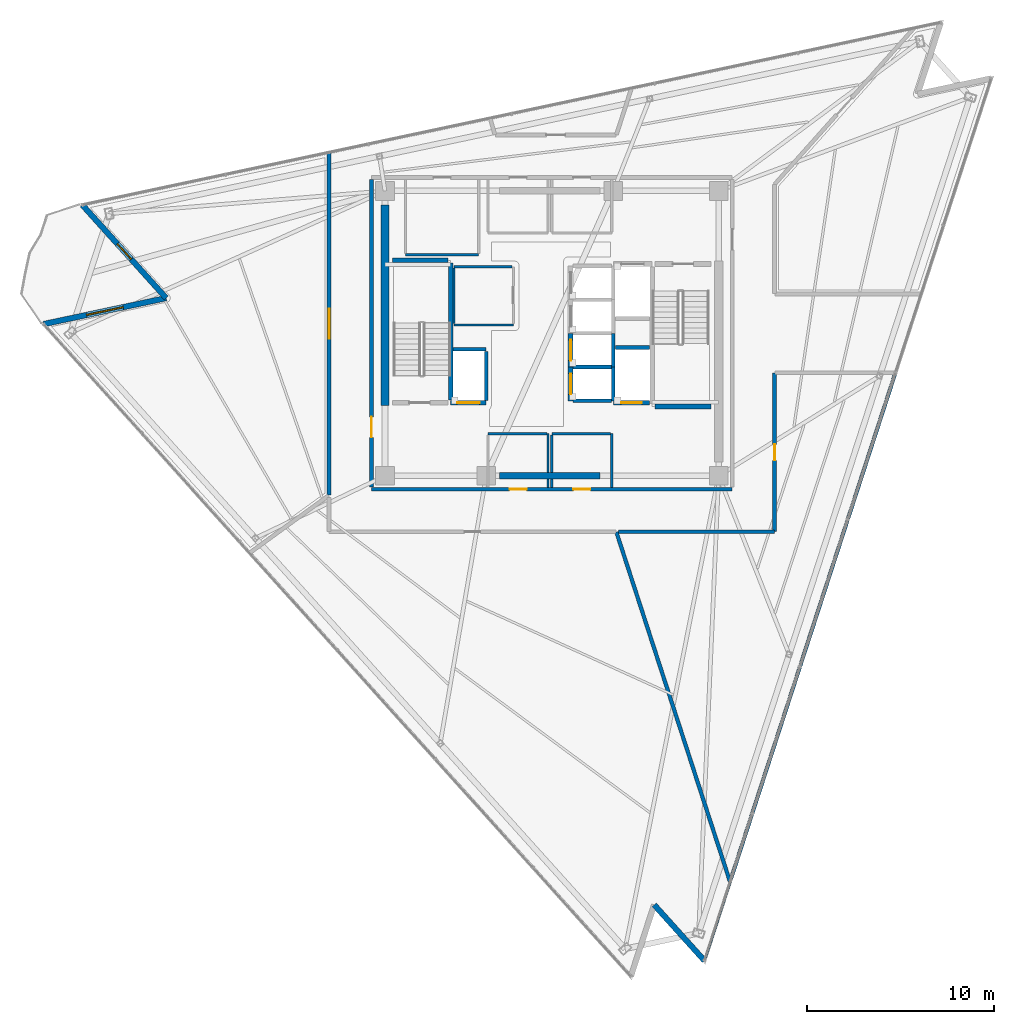
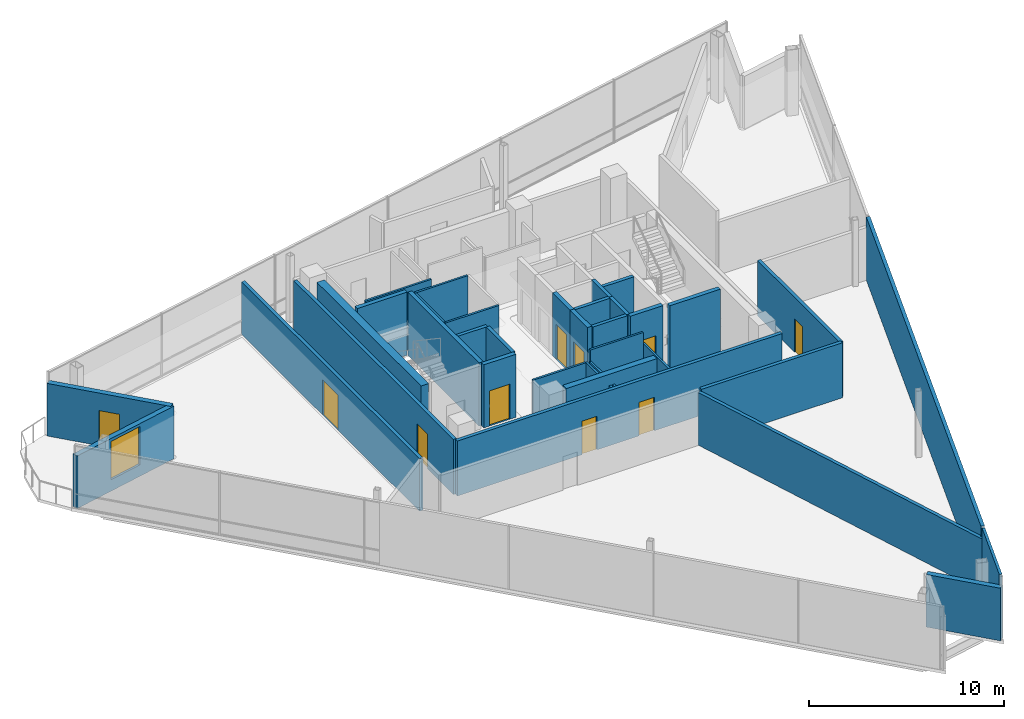
# One storey, part 11 of 16: 38 walls, 10 doors, 1 window, 11 openings.
"""IFC4 building model written with IfcOpenShell, lengths in metres."""

from ifc_helpers import new_model, si_unit, direction, frame, frame_2d, origin, place, context, subcontext, project, spatial, rectangle, extrude, material, layer, layer_set, type_object, element, fill, save


model = new_model("IFC4")

# Units and contexts
model_context = context("Model", 3, precision=1e-05, world=origin(), true_north=direction((0.0, 1.0)))
body_context = subcontext(model_context, "Body", "Model", "MODEL_VIEW")
ifc_project = project(units=[si_unit("LENGTHUNIT", "METRE"), si_unit("AREAUNIT", "SQUARE_METRE"), si_unit("VOLUMEUNIT", "CUBIC_METRE"), si_unit("PLANEANGLEUNIT", "RADIAN"), si_unit("MASSUNIT", "GRAM", prefix="KILO")], contexts=[model_context])

# Site, building, storey
site_placement = place(None, origin())
site = spatial("IfcSite", under=ifc_project, at=site_placement, CompositionType="ELEMENT")
building_placement = place(site_placement, origin())
building = spatial("IfcBuilding", under=site, at=building_placement, Name="Tharavind Bronze Gate", CompositionType="ELEMENT")
storey_placement = place(building_placement, frame((0.0, 0.0, 302.14990234375)))
storey = spatial("IfcBuildingStorey", under=building, at=storey_placement, Name="L78", CompositionType="ELEMENT", Elevation=302.14990234375)

# Wall, opening, door
ifc_material_1 = material(Name="Concrete C40/50", Category="concrete")
ifc_layer_1 = layer(ifc_material_1, 0.300048828125)
ifc_layer_set_1 = layer_set([ifc_layer_1], Name="Concrete C40/50")
wall_type_1 = type_object("IfcWallType", Name="EXTERIOR SPANDREL WALL 300", PredefinedType="STANDARD", material=ifc_layer_set_1)
wall_1_placement = place(storey_placement, frame((-25.041015625, 6.84814453125, 0.0), z_axis=(0.0, 0.0, 1.0), x_axis=(0.669132313306, -0.743143288532, 0.0)))
wall_1 = element("IfcWall", 1, at=wall_1_placement, inside=storey, type_object=wall_type_1, Name="L78 notch cheek wall 1A", PredefinedType="STANDARD", context=body_context, shape_type="SweptSolid", body=[
    extrude(rectangle(XDim=6.679931640625, YDim=0.300048828125, at=frame_2d((3.33984375, 0.0))), origin(), (0.0, 0.0, 1.0), 3.295166015625),
])
opening_1_placement = place(wall_1_placement, frame((2.7900390625, 0.0, 0.0)))
opening_1 = element("IfcOpeningElement", 2, at=opening_1_placement, cuts=wall_1, Name="Opening ED04", PredefinedType="OPENING", context=body_context, shape_type="SweptSolid", body=[
    extrude(rectangle(XDim=1.10009765625, YDim=2.199951171875, at=frame_2d((0.550048828125, 1.10009765625))), frame((0.0, 0.15990234375, 0.0), z_axis=(0.0, -1.0, 0.0), x_axis=(1.0, 0.0, 0.0)), (0.0, 0.0, 1.0), 0.320048828125),
])
ifc_material_2 = material(Name="Bronze Aluminium & Toughened Glass", Category="aluminium")
door_type_1 = type_object("IfcDoorType", Name="TREE BALCONY ACCESS DOOR 1100X2200", OperationType="SINGLE_SWING_LEFT", PredefinedType="DOOR", material=ifc_material_2)
door_1_placement = place(opening_1_placement, origin())
door_1 = element("IfcDoor", 3, at=door_1_placement, inside=storey, type_object=door_type_1, Name="L78 tree balcony access door", OperationType="SINGLE_SWING_LEFT", OverallHeight=2.199951171875, OverallWidth=1.10009765625, PredefinedType="DOOR", context=body_context, shape_type="SweptSolid", body=[
    extrude(rectangle(XDim=1.10009765625, YDim=2.199951171875, at=frame_2d((0.550048828125, 1.10009765625))), frame((0.0, 0.02490234375, 0.0), z_axis=(0.0, -1.0, 0.0), x_axis=(1.0, 0.0, 0.0)), (0.0, 0.0, 1.0), 0.050048828125),
])
fill(opening_1, door_1)

# Wall, opening, window
wall_2_placement = place(storey_placement, frame((-20.5712890625, 1.884033203125, 0.0), z_axis=(0.0, 0.0, 1.0), x_axis=(-0.978145008547, -0.207923885724, 0.0)))
wall_2 = element("IfcWall", 4, at=wall_2_placement, inside=storey, type_object=wall_type_1, Name="L78 notch cheek wall 1B", PredefinedType="STANDARD", context=body_context, shape_type="SweptSolid", body=[
    extrude(rectangle(XDim=6.679931640625, YDim=0.300048828125, at=frame_2d((3.33984375, 0.0))), origin(), (0.0, 0.0, 1.0), 3.295166015625),
])
opening_2_placement = place(wall_2_placement, frame((2.340087890625, 0.0, 0.715087890625)))
opening_2 = element("IfcOpeningElement", 5, at=opening_2_placement, cuts=wall_2, Name="Opening W06", PredefinedType="OPENING", context=body_context, shape_type="SweptSolid", body=[
    extrude(rectangle(XDim=2.0, YDim=2.39990234375, at=frame_2d((1.0, 1.199951171875))), frame((0.0, 0.15990234375, 0.0), z_axis=(0.0, -1.0, 0.0), x_axis=(1.0, 0.0, 0.0)), (0.0, 0.0, 1.0), 0.320048828125),
])
ifc_material_3 = material(Name="Bronze Aluminium & Low-E Glass", Category="aluminium")
window_type = type_object("IfcWindowType", Name="CROWN OBSERVATORY WINDOW 2000X2400", PartitioningType="DOUBLE_PANEL_VERTICAL", PredefinedType="WINDOW", material=ifc_material_3)
window_placement = place(opening_2_placement, origin())
window = element("IfcWindow", 6, at=window_placement, inside=storey, type_object=window_type, Name="L78 exterior window WL-L78-NCB1-01", OverallHeight=2.39990234375, OverallWidth=2.0, PartitioningType="SINGLE_PANEL", PredefinedType="WINDOW", context=body_context, shape_type="SweptSolid", body=[
    extrude(rectangle(XDim=2.0, YDim=2.39990234375, at=frame_2d((1.0, 1.199951171875))), frame((0.0, 0.030029296875, 0.0), z_axis=(0.0, -1.0, 0.0), x_axis=(1.0, 0.0, 0.0)), (0.0, 0.0, 1.0), 0.06005859375),
])
fill(opening_2, window)

# Wall
wall_3_placement = place(storey_placement, frame((5.459228515625, -30.484130859375, 0.0), z_axis=(0.0, 0.0, 1.0), x_axis=(0.669132983361, -0.743142685208, 0.0)))
element("IfcWall", 7, at=wall_3_placement, inside=storey, type_object=wall_type_1, Name="L78 notch cheek wall 2B", PredefinedType="STANDARD", context=body_context, shape_type="SweptSolid", body=[
    extrude(rectangle(XDim=4.008056640625, YDim=0.300048828125, at=frame_2d((2.00390625, 0.0))), origin(), (0.0, 0.0, 1.0), 3.295166015625),
])

# Wall, openings, doors
ifc_material_4 = material(Name="Aerated Concrete Block", Category="concrete")
ifc_layer_2 = layer(ifc_material_4, 0.199951171875)
ifc_layer_set_2 = layer_set([ifc_layer_2], Name="Aerated Concrete Block")
wall_type_2 = type_object("IfcWallType", Name="FIRE RATED PARTITION 200", PredefinedType="PARTITIONING", material=ifc_layer_set_2)
wall_4_placement = place(storey_placement, frame((-9.6201171875, -8.320068359375, 0.0), z_axis=(0.0, 0.0, 1.0), x_axis=(1.0, 0.0, 0.0)))
wall_4 = element("IfcWall", 8, at=wall_4_placement, inside=storey, type_object=wall_type_2, Name="L78 south core corridor wall", PredefinedType="PARTITIONING", context=body_context, shape_type="SweptSolid", body=[
    extrude(rectangle(XDim=19.240234375, YDim=0.199951171875, at=frame_2d((9.6201171875, 0.0))), origin(), (0.0, 0.0, 1.0), 3.445068359375),
])
opening_3_placement = place(wall_4_placement, frame((7.3701171875, 0.0, 0.0)))
opening_3 = element("IfcOpeningElement", 9, at=opening_3_placement, cuts=wall_4, Name="Opening ID07", PredefinedType="OPENING", context=body_context, shape_type="SweptSolid", body=[
    extrude(rectangle(XDim=0.89990234375, YDim=2.10009765625, at=frame_2d((0.449951171875, 1.050048828125))), frame((0.0, 0.11009765625, 0.0), z_axis=(0.0, -1.0, 0.0), x_axis=(1.0, 0.0, 0.0)), (0.0, 0.0, 1.0), 0.219951171875),
])
opening_4_placement = place(wall_4_placement, frame((10.77001953125, 0.0, 0.0)))
opening_4 = element("IfcOpeningElement", 10, at=opening_4_placement, cuts=wall_4, Name="Opening ID07", PredefinedType="OPENING", context=body_context, shape_type="SweptSolid", body=[
    extrude(rectangle(XDim=0.89990234375, YDim=2.10009765625, at=frame_2d((0.449951171875, 1.050048828125))), frame((0.0, 0.11009765625, 0.0), z_axis=(0.0, -1.0, 0.0), x_axis=(1.0, 0.0, 0.0)), (0.0, 0.0, 1.0), 0.219951171875),
])
ifc_material_5 = material(Name="Galvanised Fire Steel", Category="steel")
door_type_2 = type_object("IfcDoorType", Name="PLANT AND RISER FIRE DOOR 900X2100", OperationType="SINGLE_SWING_LEFT", PredefinedType="DOOR", material=ifc_material_5)
door_2_placement = place(opening_3_placement, frame((0.89990234375, 0.0, 0.0), z_axis=(0.0, 0.0, 1.0), x_axis=(-1.0, 0.0, 0.0)))
door_2 = element("IfcDoor", 11, at=door_2_placement, inside=storey, type_object=door_type_2, Name="L78 Core Archive Store fire door", OperationType="SINGLE_SWING_LEFT", OverallHeight=2.10009765625, OverallWidth=0.89990234375, PredefinedType="DOOR", context=body_context, shape_type="SweptSolid", body=[
    extrude(rectangle(XDim=0.89990234375, YDim=2.10009765625, at=frame_2d((0.449951171875, 1.050048828125))), frame((0.0, 0.02490234375, 0.0), z_axis=(0.0, -1.0, 0.0), x_axis=(1.0, 0.0, 0.0)), (0.0, 0.0, 1.0), 0.050048828125),
])
fill(opening_3, door_2)
door_3_placement = place(opening_4_placement, frame((0.89990234375, 0.0, 0.0), z_axis=(0.0, 0.0, 1.0), x_axis=(-1.0, 0.0, 0.0)))
door_3 = element("IfcDoor", 12, at=door_3_placement, inside=storey, type_object=door_type_2, Name="L78 Core Server Room fire door", OperationType="SINGLE_SWING_LEFT", OverallHeight=2.10009765625, OverallWidth=0.89990234375, PredefinedType="DOOR", context=body_context, shape_type="SweptSolid", body=[
    extrude(rectangle(XDim=0.89990234375, YDim=2.10009765625, at=frame_2d((0.449951171875, 1.050048828125))), frame((0.0, 0.02490234375, 0.0), z_axis=(0.0, -1.0, 0.0), x_axis=(1.0, 0.0, 0.0)), (0.0, 0.0, 1.0), 0.050048828125),
])
fill(opening_4, door_3)

# Wall, opening, door
wall_5_placement = place(storey_placement, frame((-9.6201171875, 8.199951171875, 0.0), z_axis=(0.0, 0.0, 1.0), x_axis=(0.0, -1.0, 0.0)))
wall_5 = element("IfcWall", 13, at=wall_5_placement, inside=storey, type_object=wall_type_2, Name="L78 west core corridor wall", PredefinedType="PARTITIONING", context=body_context, shape_type="SweptSolid", body=[
    extrude(rectangle(XDim=16.39990234375, YDim=0.199951171875, at=frame_2d((8.199951171875, 0.0))), origin(), (0.0, 0.0, 1.0), 3.445068359375),
])
opening_5_placement = place(wall_5_placement, frame((12.64990234375, 0.0, 0.0)))
opening_5 = element("IfcOpeningElement", 14, at=opening_5_placement, cuts=wall_5, Name="Opening ID01", PredefinedType="OPENING", context=body_context, shape_type="SweptSolid", body=[
    extrude(rectangle(XDim=1.10009765625, YDim=2.14990234375, at=frame_2d((0.550048828125, 1.074951171875))), frame((0.0, 0.11009765625, 0.0), z_axis=(0.0, -1.0, 0.0), x_axis=(1.0, 0.0, 0.0)), (0.0, 0.0, 1.0), 0.219951171875),
])
ifc_material_6 = material(Name="Fire-Rated Steel", Category="steel")
door_type_3 = type_object("IfcDoorType", Name="STAIR CORE FIRE DOOR 1100X2150", OperationType="SINGLE_SWING_LEFT", PredefinedType="DOOR", material=ifc_material_6)
door_4_placement = place(opening_5_placement, frame((1.10009765625, 0.0, 0.0), z_axis=(0.0, 0.0, 1.0), x_axis=(-1.0, 0.0, 0.0)))
door_4 = element("IfcDoor", 15, at=door_4_placement, inside=storey, type_object=door_type_3, Name="L78 south west stair lobby fire door", OperationType="SINGLE_SWING_LEFT", OverallHeight=2.14990234375, OverallWidth=1.10009765625, PredefinedType="DOOR", context=body_context, shape_type="SweptSolid", body=[
    extrude(rectangle(XDim=1.10009765625, YDim=2.14990234375, at=frame_2d((0.550048828125, 1.074951171875))), frame((0.0, 0.02490234375, 0.0), z_axis=(0.0, -1.0, 0.0), x_axis=(1.0, 0.0, 0.0)), (0.0, 0.0, 1.0), 0.050048828125),
])
fill(opening_5, door_4)

# Walls
wall_6_placement = place(storey_placement, frame((3.443359375, -10.597412109375, 0.0), z_axis=(0.0, 0.0, 1.0), x_axis=(0.309011768736, -0.951058214192, 0.0)))
element("IfcWall", 16, at=wall_6_placement, inside=storey, type_object=wall_type_2, Name="L78 Public Restrooms Block partition", PredefinedType="PARTITIONING", context=body_context, shape_type="SweptSolid", body=[
    extrude(rectangle(XDim=19.6142578125, YDim=0.199951171875, at=frame_2d((9.80712890625, 0.0))), origin(), (0.0, 0.0, 1.0), 3.295166015625),
])
wall_7_placement = place(storey_placement, frame((3.548095703125, -10.580078125, 0.0), z_axis=(0.0, 0.0, 1.0), x_axis=(1.0, 0.0, 0.0)))
element("IfcWall", 17, at=wall_7_placement, inside=storey, type_object=wall_type_2, Name="L78 Public Restrooms Block partition", PredefinedType="PARTITIONING", context=body_context, shape_type="SweptSolid", body=[
    extrude(rectangle(XDim=8.331298828125, YDim=0.199951171875, at=frame_2d((4.16552734375, 0.0))), origin(), (0.0, 0.0, 1.0), 3.445068359375),
])

# Wall, opening, door
wall_8_placement = place(storey_placement, frame((11.8798828125, -10.579345703125, 0.0), z_axis=(0.0, 0.0, 1.0), x_axis=(0.0, 1.0, 0.0)))
wall_8 = element("IfcWall", 18, at=wall_8_placement, inside=storey, type_object=wall_type_2, Name="L78 Public Restrooms Block partition", PredefinedType="PARTITIONING", context=body_context, shape_type="SweptSolid", body=[
    extrude(rectangle(XDim=8.454345703125, YDim=0.199951171875, at=frame_2d((4.22705078125, 0.0))), origin(), (0.0, 0.0, 1.0), 3.445068359375),
])
opening_6_placement = place(wall_8_placement, frame((3.802001953125, 0.0, 0.0)))
opening_6 = element("IfcOpeningElement", 19, at=opening_6_placement, cuts=wall_8, Name="Opening ID06", PredefinedType="OPENING", context=body_context, shape_type="SweptSolid", body=[
    extrude(rectangle(XDim=0.85009765625, YDim=2.10009765625, at=frame_2d((0.425048828125, 1.050048828125))), frame((0.0, 0.11009765625, 0.0), z_axis=(0.0, -1.0, 0.0), x_axis=(1.0, 0.0, 0.0)), (0.0, 0.0, 1.0), 0.219951171875),
])
ifc_material_7 = material(Name="Moisture-Resistant Timber", Category="wood")
door_type_4 = type_object("IfcDoorType", Name="BATHROOM PRIVACY DOOR 850X2100", OperationType="SINGLE_SWING_RIGHT", PredefinedType="DOOR", material=ifc_material_7)
door_5_placement = place(opening_6_placement, origin())
door_5 = element("IfcDoor", 20, at=door_5_placement, inside=storey, type_object=door_type_4, Name="L78 Public Restrooms Block door", OperationType="SINGLE_SWING_RIGHT", OverallHeight=2.10009765625, OverallWidth=0.85009765625, PredefinedType="DOOR", context=body_context, shape_type="SweptSolid", body=[
    extrude(rectangle(XDim=0.85009765625, YDim=2.10009765625, at=frame_2d((0.425048828125, 1.050048828125))), frame((0.0, 0.02490234375, 0.0), z_axis=(0.0, -1.0, 0.0), x_axis=(1.0, 0.0, 0.0)), (0.0, 0.0, 1.0), 0.050048828125),
])
fill(opening_6, door_5)

# Wall
wall_9_placement = place(storey_placement, frame((18.297607421875, -2.205078125, 0.0), z_axis=(0.0, 0.0, 1.0), x_axis=(-0.309026118402, -0.951053551671, 0.0)))
element("IfcWall", 21, at=wall_9_placement, inside=storey, type_object=wall_type_2, Name="L78 Public Restrooms Block partition", PredefinedType="PARTITIONING", context=body_context, shape_type="SweptSolid", body=[
    extrude(rectangle(XDim=28.26806640625, YDim=0.199951171875, at=frame_2d((14.134033203125, 0.0))), origin(), (0.0, 0.0, 1.0), 3.9501953125),
])

# Wall, opening, door
wall_10_placement = place(storey_placement, frame((-11.8798828125, 9.645751953125, 0.0), z_axis=(0.0, 0.0, 1.0), x_axis=(0.0, -1.0, 0.0)))
wall_10 = element("IfcWall", 22, at=wall_10_placement, inside=storey, type_object=wall_type_2, Name="L78 Observatory Gift Shop partition", PredefinedType="PARTITIONING", context=body_context, shape_type="SweptSolid", body=[
    extrude(rectangle(XDim=18.264404296875, YDim=0.199951171875, at=frame_2d((9.13232421875, 0.0))), origin(), (0.0, 0.0, 1.0), 3.295166015625),
])
opening_7_placement = place(wall_10_placement, frame((8.33203125, 0.0, 0.0)))
opening_7 = element("IfcOpeningElement", 23, at=opening_7_placement, cuts=wall_10, Name="Opening ID02", PredefinedType="OPENING", context=body_context, shape_type="SweptSolid", body=[
    extrude(rectangle(XDim=1.60009765625, YDim=2.199951171875, at=frame_2d((0.800048828125, 1.10009765625))), frame((0.0, 0.11009765625, 0.0), z_axis=(0.0, -1.0, 0.0), x_axis=(1.0, 0.0, 0.0)), (0.0, 0.0, 1.0), 0.219951171875),
])
ifc_material_8 = material(Name="Fire-Rated Bronze Steel", Category="steel")
door_type_5 = type_object("IfcDoorType", Name="LOBBY DOUBLE FIRE DOOR 1600X2200", OperationType="DOUBLE_DOOR_SINGLE_SWING", PredefinedType="DOOR", material=ifc_material_8)
door_6_placement = place(opening_7_placement, origin())
door_6 = element("IfcDoor", 24, at=door_6_placement, inside=storey, type_object=door_type_5, Name="L78 Observatory Gift Shop door", OperationType="DOUBLE_DOOR_SINGLE_SWING", OverallHeight=2.199951171875, OverallWidth=1.60009765625, PredefinedType="DOOR", context=body_context, shape_type="SweptSolid", body=[
    extrude(rectangle(XDim=1.60009765625, YDim=2.199951171875, at=frame_2d((0.800048828125, 1.10009765625))), frame((0.0, 0.02490234375, 0.0), z_axis=(0.0, -1.0, 0.0), x_axis=(1.0, 0.0, 0.0)), (0.0, 0.0, 1.0), 0.050048828125),
])
fill(opening_7, door_6)

# Walls
ifc_material_9 = material(Name="Metal Stud Gypsum Partition", Category="gypsum")
ifc_layer_3 = layer(ifc_material_9, 0.1201171875)
ifc_layer_set_3 = layer_set([ifc_layer_3], Name="Metal Stud Gypsum Partition")
wall_type_3 = type_object("IfcWallType", Name="INTERIOR PARTITION WALL 120", PredefinedType="PARTITIONING", material=ifc_layer_set_3)
wall_11_placement = place(storey_placement, frame((-5.219970703125, 0.449951171875, 0.0), z_axis=(0.0, 0.0, 1.0), x_axis=(1.0, 0.0, 0.0)))
element("IfcWall", 25, at=wall_11_placement, inside=storey, type_object=wall_type_3, Name="L78 Electrical & Telecom Store partition 1", PredefinedType="PARTITIONING", context=body_context, shape_type="SweptSolid", body=[
    extrude(rectangle(XDim=3.169921875, YDim=0.1201171875, at=frame_2d((1.5849609375, 0.0))), origin(), (0.0, 0.0, 1.0), 3.9501953125),
])
wall_12_placement = place(storey_placement, frame((-2.114990234375, 3.550048828125, 0.0), z_axis=(0.0, 0.0, 1.0), x_axis=(-1.0, 0.0, 0.0)))
element("IfcWall", 26, at=wall_12_placement, inside=storey, type_object=wall_type_3, Name="L78 Electrical & Telecom Store partition 3", PredefinedType="PARTITIONING", context=body_context, shape_type="SweptSolid", body=[
    extrude(rectangle(XDim=3.10498046875, YDim=0.1201171875, at=frame_2d((1.552490234375, 0.0))), origin(), (0.0, 0.0, 1.0), 3.9501953125),
])
wall_13_placement = place(storey_placement, frame((-5.219970703125, 3.485107421875, 0.0), z_axis=(0.0, 0.0, 1.0), x_axis=(0.0, -1.0, 0.0)))
element("IfcWall", 27, at=wall_13_placement, inside=storey, type_object=wall_type_3, Name="L78 Electrical & Telecom Store partition 4", PredefinedType="PARTITIONING", context=body_context, shape_type="SweptSolid", body=[
    extrude(rectangle(XDim=2.97021484375, YDim=0.1201171875, at=frame_2d((1.485107421875, 0.0))), origin(), (0.0, 0.0, 1.0), 3.9501953125),
])
wall_14_placement = place(storey_placement, frame((-0.199951171875, -8.215087890625, 0.0), z_axis=(0.0, 0.0, 1.0), x_axis=(0.0, 1.0, 0.0)))
element("IfcWall", 28, at=wall_14_placement, inside=storey, type_object=wall_type_3, Name="L78 Core Archive Store partition 2", PredefinedType="PARTITIONING", context=body_context, shape_type="SweptSolid", body=[
    extrude(rectangle(XDim=0.43505859375, YDim=0.1201171875, at=frame_2d((0.217529296875, 0.0))), origin(), (0.0, 0.0, 1.0), 3.2451171875),
])
wall_15_placement = place(storey_placement, frame((-0.199951171875, -7.419921875, 0.0), z_axis=(0.0, 0.0, 1.0), x_axis=(0.0, 1.0, 0.0)))
element("IfcWall", 29, at=wall_15_placement, inside=storey, type_object=wall_type_3, Name="L78 Core Archive Store partition 2", PredefinedType="PARTITIONING", context=body_context, shape_type="SweptSolid", body=[
    extrude(rectangle(XDim=2.06982421875, YDim=0.1201171875, at=frame_2d((1.034912109375, 0.0))), origin(), (0.0, 0.0, 1.0), 3.2451171875),
])
wall_16_placement = place(storey_placement, frame((-0.264892578125, -5.35009765625, 0.0), z_axis=(0.0, 0.0, 1.0), x_axis=(-1.0, 0.0, 0.0)))
element("IfcWall", 30, at=wall_16_placement, inside=storey, type_object=wall_type_3, Name="L78 Core Archive Store partition 3", PredefinedType="PARTITIONING", context=body_context, shape_type="SweptSolid", body=[
    extrude(rectangle(XDim=3.135009765625, YDim=0.1201171875, at=frame_2d((1.5673828125, 0.0))), origin(), (0.0, 0.0, 1.0), 3.2451171875),
])
wall_17_placement = place(storey_placement, frame((3.199951171875, -8.215087890625, 0.0), z_axis=(0.0, 0.0, 1.0), x_axis=(0.0, 1.0, 0.0)))
element("IfcWall", 31, at=wall_17_placement, inside=storey, type_object=wall_type_3, Name="L78 Core Server Room partition 2", PredefinedType="PARTITIONING", context=body_context, shape_type="SweptSolid", body=[
    extrude(rectangle(XDim=2.864990234375, YDim=0.1201171875, at=frame_2d((1.4326171875, 0.0))), origin(), (0.0, 0.0, 1.0), 3.2451171875),
])
wall_18_placement = place(storey_placement, frame((3.135009765625, -5.35009765625, 0.0), z_axis=(0.0, 0.0, 1.0), x_axis=(-1.0, 0.0, 0.0)))
element("IfcWall", 32, at=wall_18_placement, inside=storey, type_object=wall_type_3, Name="L78 Core Server Room partition 3", PredefinedType="PARTITIONING", context=body_context, shape_type="SweptSolid", body=[
    extrude(rectangle(XDim=3.135009765625, YDim=0.1201171875, at=frame_2d((1.5673828125, 0.0))), origin(), (0.0, 0.0, 1.0), 3.9501953125),
])
wall_19_placement = place(storey_placement, frame((0.0, -5.4150390625, 0.0), z_axis=(0.0, 0.0, 1.0), x_axis=(0.0, -1.0, 0.0)))
element("IfcWall", 33, at=wall_19_placement, inside=storey, type_object=wall_type_3, Name="L78 Core Server Room partition 4", PredefinedType="PARTITIONING", context=body_context, shape_type="SweptSolid", body=[
    extrude(rectangle(XDim=2.0048828125, YDim=0.1201171875, at=frame_2d((1.00244140625, 0.0))), origin(), (0.0, 0.0, 1.0), 3.2451171875),
])
wall_20_placement = place(storey_placement, frame((0.0, -7.780029296875, 0.0), z_axis=(0.0, 0.0, 1.0), x_axis=(0.0, -1.0, 0.0)))
element("IfcWall", 34, at=wall_20_placement, inside=storey, type_object=wall_type_3, Name="L78 Core Server Room partition 4", PredefinedType="PARTITIONING", context=body_context, shape_type="SweptSolid", body=[
    extrude(rectangle(XDim=0.43505859375, YDim=0.1201171875, at=frame_2d((0.217529296875, 0.0))), origin(), (0.0, 0.0, 1.0), 3.2451171875),
])
wall_21_placement = place(storey_placement, frame((-7.800048828125, 4.199951171875, 0.0), z_axis=(0.0, 0.0, 1.0), x_axis=(1.0, 0.0, 0.0)))
element("IfcWall", 35, at=wall_21_placement, inside=storey, type_object=wall_type_3, Name="L78 Electrical Switch Room partition 1", PredefinedType="PARTITIONING", context=body_context, shape_type="SweptSolid", body=[
    extrude(rectangle(XDim=3.900146484375, YDim=0.1201171875, at=frame_2d((1.9501953125, 0.0))), origin(), (0.0, 0.0, 1.0), 3.9501953125),
])
ifc_material_10 = material(Name="Twin Stud Acoustic Gypsum", Category="gypsum")
ifc_layer_4 = layer(ifc_material_10, 0.14990234375)
ifc_layer_set_4 = layer_set([ifc_layer_4], Name="Twin Stud Acoustic Gypsum")
wall_type_4 = type_object("IfcWallType", Name="INTERIOR PARTITION WALL 150", PredefinedType="PARTITIONING", material=ifc_layer_set_4)
wall_22_placement = place(storey_placement, frame((9.50439453125, -29.26708984375, 0.0), z_axis=(0.0, 0.0, 1.0), x_axis=(-0.30900259688, -0.951061194204, 0.0)))
element("IfcWall", 36, at=wall_22_placement, inside=storey, type_object=wall_type_4, Name="L78 Public Restrooms Block partition", PredefinedType="PARTITIONING", context=body_context, shape_type="SweptSolid", body=[
    extrude(rectangle(XDim=4.232421875, YDim=0.14990234375, at=frame_2d((2.1162109375, 0.0))), origin(), (0.0, 0.0, 1.0), 3.9501953125),
])
ifc_material_11 = material(Name="Concrete C50/60", Category="concrete")
ifc_layer_5 = layer(ifc_material_11, 0.25)
ifc_layer_set_5 = layer_set([ifc_layer_5], Name="Concrete C50/60")
wall_type_5 = type_object("IfcWallType", Name="RC CORE SHEAR WALL 250", PredefinedType="SHEAR", material=ifc_layer_set_5)
wall_23_placement = place(storey_placement, frame((-5.39990234375, -3.550048828125, 0.0), z_axis=(0.0, 0.0, 1.0), x_axis=(0.0, 1.0, 0.0)))
element("IfcWall", 37, at=wall_23_placement, inside=storey, type_object=wall_type_5, Name="L78 ST1 shaft east wall", PredefinedType="SHEAR", context=body_context, shape_type="SweptSolid", body=[
    extrude(rectangle(XDim=7.300048828125, YDim=0.25, at=frame_2d((3.64990234375, 0.0))), origin(), (0.0, 0.0, 1.0), 3.9501953125),
])
wall_24_placement = place(storey_placement, frame((-8.5, 3.89990234375, 0.0), z_axis=(0.0, 0.0, 1.0), x_axis=(1.0, 0.0, 0.0)))
element("IfcWall", 38, at=wall_24_placement, inside=storey, type_object=wall_type_5, Name="L78 ST1 shaft north wall", PredefinedType="SHEAR", context=body_context, shape_type="SweptSolid", body=[
    extrude(rectangle(XDim=2.949951171875, YDim=0.25, at=frame_2d((1.47509765625, 0.0))), origin(), (0.0, 0.0, 1.0), 3.9501953125),
])
wall_25_placement = place(storey_placement, frame((5.5, -3.89990234375, 0.0), z_axis=(0.0, 0.0, 1.0), x_axis=(1.0, 0.0, 0.0)))
element("IfcWall", 39, at=wall_25_placement, inside=storey, type_object=wall_type_5, Name="L78 ST2 shaft south wall", PredefinedType="SHEAR", context=body_context, shape_type="SweptSolid", body=[
    extrude(rectangle(XDim=3.0, YDim=0.25, at=frame_2d((1.5, 0.0))), origin(), (0.0, 0.0, 1.0), 3.9501953125),
])

# Wall, opening, door
wall_26_placement = place(storey_placement, frame((1.0, -3.60009765625, 0.0), z_axis=(0.0, 0.0, 1.0), x_axis=(0.0, 1.0, 0.0)))
wall_26 = element("IfcWall", 40, at=wall_26_placement, inside=storey, type_object=wall_type_5, Name="L78 lift PL9 shaft front wall", PredefinedType="SHEAR", context=body_context, shape_type="SweptSolid", body=[
    extrude(rectangle(XDim=1.800048828125, YDim=0.25, at=frame_2d((0.89990234375, 0.0))), origin(), (0.0, 0.0, 1.0), 3.9501953125),
])
opening_8_placement = place(wall_26_placement, frame((0.35009765625, 0.0, 0.0)))
opening_8 = element("IfcOpeningElement", 41, at=opening_8_placement, cuts=wall_26, Name="Opening LD01", PredefinedType="OPENING", context=body_context, shape_type="SweptSolid", body=[
    extrude(rectangle(XDim=1.10009765625, YDim=2.199951171875, at=frame_2d((0.550048828125, 1.10009765625))), frame((0.0, 0.135, 0.0), z_axis=(0.0, -1.0, 0.0), x_axis=(1.0, 0.0, 0.0)), (0.0, 0.0, 1.0), 0.27),
])
ifc_material_12 = material(Name="Brushed Bronze Stainless Steel", Category="steel")
door_type_6 = type_object("IfcDoorType", Name="LIFT LANDING SLIDING DOOR 1100X2200", OperationType="SLIDING_TO_LEFT", PredefinedType="DOOR", material=ifc_material_12)
door_7_placement = place(opening_8_placement, origin())
door_7 = element("IfcDoor", 42, at=door_7_placement, inside=storey, type_object=door_type_6, Name="L78 lift PL9 sliding landing door", OperationType="SLIDING_TO_LEFT", OverallHeight=2.199951171875, OverallWidth=1.10009765625, PredefinedType="DOOR", context=body_context, shape_type="SweptSolid", body=[
    extrude(rectangle(XDim=1.10009765625, YDim=2.199951171875, at=frame_2d((0.550048828125, 1.10009765625))), frame((0.0, 0.02490234375, 0.0), z_axis=(0.0, -1.0, 0.0), x_axis=(1.0, 0.0, 0.0)), (0.0, 0.0, 1.0), 0.050048828125),
])
fill(opening_8, door_7)

wall_27_placement = place(storey_placement, frame((1.0, -1.800048828125, 0.0), z_axis=(0.0, 0.0, 1.0), x_axis=(0.0, 1.0, 0.0)))
wall_27 = element("IfcWall", 43, at=wall_27_placement, inside=storey, type_object=wall_type_5, Name="L78 lift PL10 shaft front wall", PredefinedType="SHEAR", context=body_context, shape_type="SweptSolid", body=[
    extrude(rectangle(XDim=1.800048828125, YDim=0.25, at=frame_2d((0.89990234375, 0.0))), origin(), (0.0, 0.0, 1.0), 3.9501953125),
])
opening_9_placement = place(wall_27_placement, frame((0.35009765625, 0.0, 0.0)))
opening_9 = element("IfcOpeningElement", 44, at=opening_9_placement, cuts=wall_27, Name="Opening LD01", PredefinedType="OPENING", context=body_context, shape_type="SweptSolid", body=[
    extrude(rectangle(XDim=1.10009765625, YDim=2.199951171875, at=frame_2d((0.550048828125, 1.10009765625))), frame((0.0, 0.135, 0.0), z_axis=(0.0, -1.0, 0.0), x_axis=(1.0, 0.0, 0.0)), (0.0, 0.0, 1.0), 0.27),
])
door_8_placement = place(opening_9_placement, origin())
door_8 = element("IfcDoor", 45, at=door_8_placement, inside=storey, type_object=door_type_6, Name="L78 lift PL10 sliding landing door", OperationType="SLIDING_TO_LEFT", OverallHeight=2.199951171875, OverallWidth=1.10009765625, PredefinedType="DOOR", context=body_context, shape_type="SweptSolid", body=[
    extrude(rectangle(XDim=1.10009765625, YDim=2.199951171875, at=frame_2d((0.550048828125, 1.10009765625))), frame((0.0, 0.02490234375, 0.0), z_axis=(0.0, -1.0, 0.0), x_axis=(1.0, 0.0, 0.0)), (0.0, 0.0, 1.0), 0.050048828125),
])
fill(opening_9, door_8)

wall_28_placement = place(storey_placement, frame((-5.39990234375, -3.699951171875, 0.0), z_axis=(0.0, 0.0, 1.0), x_axis=(1.0, 0.0, 0.0)))
wall_28 = element("IfcWall", 46, at=wall_28_placement, inside=storey, type_object=wall_type_5, Name="L78 lift FFL1 shaft front wall", PredefinedType="SHEAR", context=body_context, shape_type="SweptSolid", body=[
    extrude(rectangle(XDim=1.89990234375, YDim=0.25, at=frame_2d((0.949951171875, 0.0))), origin(), (0.0, 0.0, 1.0), 3.9501953125),
])
opening_10_placement = place(wall_28_placement, frame((0.35009765625, 0.0, 0.0)))
opening_10 = element("IfcOpeningElement", 47, at=opening_10_placement, cuts=wall_28, Name="Opening LD02", PredefinedType="OPENING", context=body_context, shape_type="SweptSolid", body=[
    extrude(rectangle(XDim=1.199951171875, YDim=2.199951171875, at=frame_2d((0.60009765625, 1.10009765625))), frame((0.0, 0.135, 0.0), z_axis=(0.0, -1.0, 0.0), x_axis=(1.0, 0.0, 0.0)), (0.0, 0.0, 1.0), 0.27),
])
ifc_material_13 = material(Name="Brushed Stainless Steel", Category="steel")
door_type_7 = type_object("IfcDoorType", Name="FIREFIGHTING LIFT LANDING DOOR 1200X2200", OperationType="SLIDING_TO_RIGHT", PredefinedType="DOOR", material=ifc_material_13)
door_9_placement = place(opening_10_placement, origin())
door_9 = element("IfcDoor", 48, at=door_9_placement, inside=storey, type_object=door_type_7, Name="L78 lift FFL1 sliding landing door", OperationType="SLIDING_TO_RIGHT", OverallHeight=2.199951171875, OverallWidth=1.199951171875, PredefinedType="DOOR", context=body_context, shape_type="SweptSolid", body=[
    extrude(rectangle(XDim=1.199951171875, YDim=2.199951171875, at=frame_2d((0.60009765625, 1.10009765625))), frame((0.0, 0.02490234375, 0.0), z_axis=(0.0, -1.0, 0.0), x_axis=(1.0, 0.0, 0.0)), (0.0, 0.0, 1.0), 0.050048828125),
])
fill(opening_10, door_9)

wall_29_placement = place(storey_placement, frame((3.280029296875, -3.699951171875, 0.0), z_axis=(0.0, 0.0, 1.0), x_axis=(1.0, 0.0, 0.0)))
wall_29 = element("IfcWall", 49, at=wall_29_placement, inside=storey, type_object=wall_type_5, Name="L78 lift SVL1 shaft front wall", PredefinedType="SHEAR", context=body_context, shape_type="SweptSolid", body=[
    extrude(rectangle(XDim=1.93994140625, YDim=0.25, at=frame_2d((0.969970703125, 0.0))), origin(), (0.0, 0.0, 1.0), 3.9501953125),
])
opening_11_placement = place(wall_29_placement, frame((0.419921875, 0.0, 0.0)))
opening_11 = element("IfcOpeningElement", 50, at=opening_11_placement, cuts=wall_29, Name="Opening LD01", PredefinedType="OPENING", context=body_context, shape_type="SweptSolid", body=[
    extrude(rectangle(XDim=1.10009765625, YDim=2.199951171875, at=frame_2d((0.550048828125, 1.10009765625))), frame((0.0, 0.135, 0.0), z_axis=(0.0, -1.0, 0.0), x_axis=(1.0, 0.0, 0.0)), (0.0, 0.0, 1.0), 0.27),
])
door_10_placement = place(opening_11_placement, origin())
door_10 = element("IfcDoor", 51, at=door_10_placement, inside=storey, type_object=door_type_6, Name="L78 lift SVL1 sliding landing door", OperationType="SLIDING_TO_LEFT", OverallHeight=2.199951171875, OverallWidth=1.10009765625, PredefinedType="DOOR", context=body_context, shape_type="SweptSolid", body=[
    extrude(rectangle(XDim=1.10009765625, YDim=2.199951171875, at=frame_2d((0.550048828125, 1.10009765625))), frame((0.0, 0.02490234375, 0.0), z_axis=(0.0, -1.0, 0.0), x_axis=(1.0, 0.0, 0.0)), (0.0, 0.0, 1.0), 0.050048828125),
])
fill(opening_11, door_10)

# Walls
ifc_layer_6 = layer(ifc_material_11, 0.35009765625)
ifc_layer_set_6 = layer_set([ifc_layer_6], Name="Concrete C50/60")
wall_type_6 = type_object("IfcWallType", Name="RC CORE SHEAR WALL 350", PredefinedType="SHEAR", material=ifc_layer_set_6)
wall_30_placement = place(storey_placement, frame((-2.800048828125, -7.60009765625, 0.0), z_axis=(0.0, 0.0, 1.0), x_axis=(1.0, 0.0, 0.0)))
element("IfcWall", 52, at=wall_30_placement, inside=storey, type_object=wall_type_6, Name="L78 south core shear wall", PredefinedType="SHEAR", context=body_context, shape_type="SweptSolid", body=[
    extrude(rectangle(XDim=5.380126953125, YDim=0.35009765625, at=frame_2d((2.68994140625, 0.0))), origin(), (0.0, 0.0, 1.0), 3.9501953125),
])
ifc_material_14 = material(Name="Concrete C60/75", Category="concrete")
ifc_layer_7 = layer(ifc_material_14, 0.449951171875)
ifc_layer_set_7 = layer_set([ifc_layer_7], Name="Concrete C60/75")
wall_type_7 = type_object("IfcWallType", Name="RC CORE SHEAR WALL 450", PredefinedType="SHEAR", material=ifc_layer_set_7)
wall_31_placement = place(storey_placement, frame((-8.89990234375, -3.85009765625, 0.0), z_axis=(0.0, 0.0, 1.0), x_axis=(0.0, 1.0, 0.0)))
element("IfcWall", 53, at=wall_31_placement, inside=storey, type_object=wall_type_7, Name="L78 west core shear wall", PredefinedType="SHEAR", context=body_context, shape_type="SweptSolid", body=[
    extrude(rectangle(XDim=10.7001953125, YDim=0.449951171875, at=frame_2d((5.35009765625, 0.0))), origin(), (0.0, 0.0, 1.0), 3.9501953125),
])
ifc_layer_8 = layer(ifc_material_1, 0.199951171875)
ifc_layer_set_8 = layer_set([ifc_layer_8], Name="Concrete C40/50")
wall_type_8 = type_object("IfcWallType", Name="SHAFT ENCLOSURE WALL 200", PredefinedType="PARTITIONING", material=ifc_layer_set_8)
wall_32_placement = place(storey_placement, frame((3.280029296875, -3.60009765625, 0.0), z_axis=(0.0, 0.0, 1.0), x_axis=(0.0, 1.0, 0.0)))
element("IfcWall", 54, at=wall_32_placement, inside=storey, type_object=wall_type_8, Name="L78 lift PL9 shaft E enclosure wall", PredefinedType="PARTITIONING", context=body_context, shape_type="SweptSolid", body=[
    extrude(rectangle(XDim=1.800048828125, YDim=0.199951171875, at=frame_2d((0.89990234375, 0.0))), origin(), (0.0, 0.0, 1.0), 3.9501953125),
])
for number, where, z_axis, x_axis, name in (
    (55, (1.1298828125, -3.60009765625, 0.0), (0.0, 0.0, 1.0), (1.0, 0.0, 0.0), "L78 lift PL9 shaft S enclosure wall"),
    (56, (1.1298828125, -1.800048828125, 0.0), (0.0, 0.0, 1.0), (1.0, 0.0, 0.0), "L78 lift PL9 shaft N enclosure wall"),
):
    element("IfcWall", number, at=place(storey_placement, frame(where, z_axis=z_axis, x_axis=x_axis)), inside=storey, type_object=wall_type_8, Name=name, PredefinedType="PARTITIONING", context=body_context, shape_type="SweptSolid", body=[
        extrude(rectangle(XDim=2.045166015625, YDim=0.199951171875, at=frame_2d((1.0224609375, 0.0))), origin(), (0.0, 0.0, 1.0), 3.9501953125),
    ])
wall_33_placement = place(storey_placement, frame((3.280029296875, -1.800048828125, 0.0), z_axis=(0.0, 0.0, 1.0), x_axis=(0.0, 1.0, 0.0)))
element("IfcWall", 57, at=wall_33_placement, inside=storey, type_object=wall_type_8, Name="L78 lift PL10 shaft E enclosure wall", PredefinedType="PARTITIONING", context=body_context, shape_type="SweptSolid", body=[
    extrude(rectangle(XDim=1.800048828125, YDim=0.199951171875, at=frame_2d((0.89990234375, 0.0))), origin(), (0.0, 0.0, 1.0), 3.9501953125),
])
wall_34_placement = place(storey_placement, frame((-5.27001953125, -0.85009765625, 0.0), z_axis=(0.0, 0.0, 1.0), x_axis=(1.0, 0.0, 0.0)))
element("IfcWall", 58, at=wall_34_placement, inside=storey, type_object=wall_type_8, Name="L78 lift FFL1 shaft N enclosure wall", PredefinedType="PARTITIONING", context=body_context, shape_type="SweptSolid", body=[
    extrude(rectangle(XDim=1.77001953125, YDim=0.199951171875, at=frame_2d((0.885009765625, 0.0))), origin(), (0.0, 0.0, 1.0), 3.9501953125),
])
wall_35_placement = place(storey_placement, frame((-3.5, -3.570068359375, 0.0), z_axis=(0.0, 0.0, 1.0), x_axis=(0.0, 1.0, 0.0)))
element("IfcWall", 59, at=wall_35_placement, inside=storey, type_object=wall_type_8, Name="L78 lift FFL1 shaft E enclosure wall", PredefinedType="PARTITIONING", context=body_context, shape_type="SweptSolid", body=[
    extrude(rectangle(XDim=2.614990234375, YDim=0.199951171875, at=frame_2d((1.3076171875, 0.0))), origin(), (0.0, 0.0, 1.0), 3.9501953125),
])
wall_36_placement = place(storey_placement, frame((3.385009765625, -0.75, 0.0), z_axis=(0.0, 0.0, 1.0), x_axis=(1.0, 0.0, 0.0)))
element("IfcWall", 60, at=wall_36_placement, inside=storey, type_object=wall_type_8, Name="L78 lift SVL1 shaft N enclosure wall", PredefinedType="PARTITIONING", context=body_context, shape_type="SweptSolid", body=[
    extrude(rectangle(XDim=1.8349609375, YDim=0.199951171875, at=frame_2d((0.91748046875, 0.0))), origin(), (0.0, 0.0, 1.0), 3.9501953125),
])

save(model, "model.ifc")
